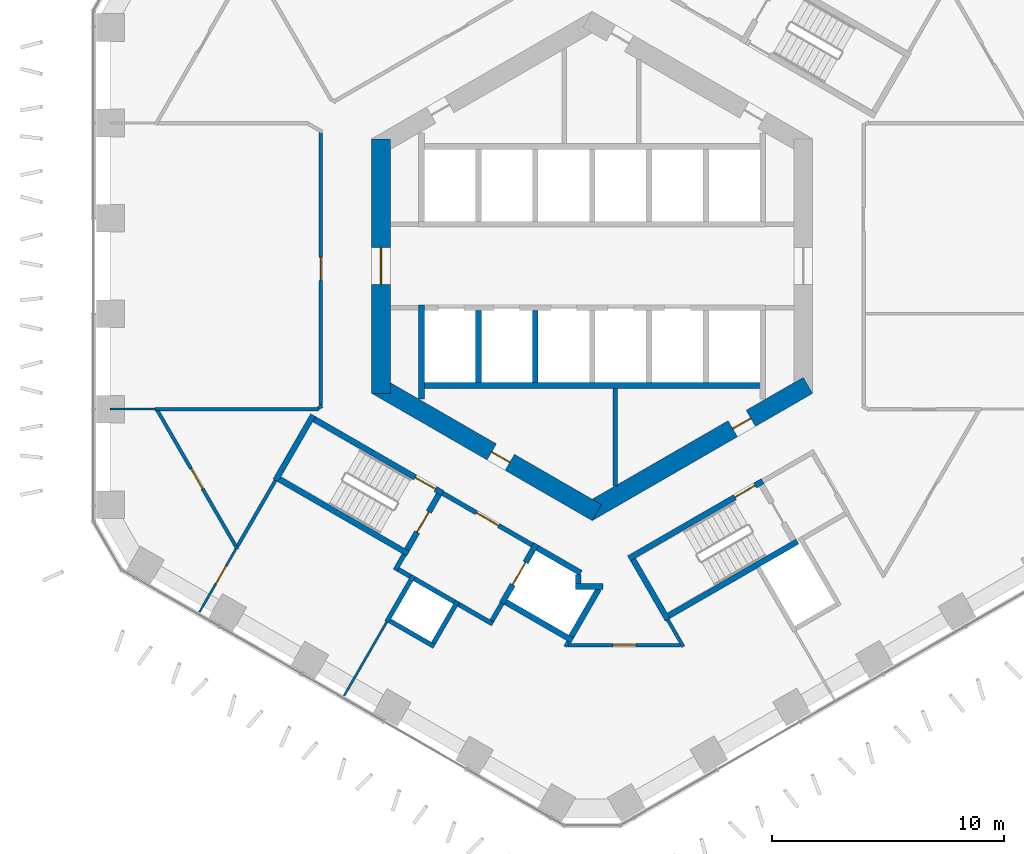
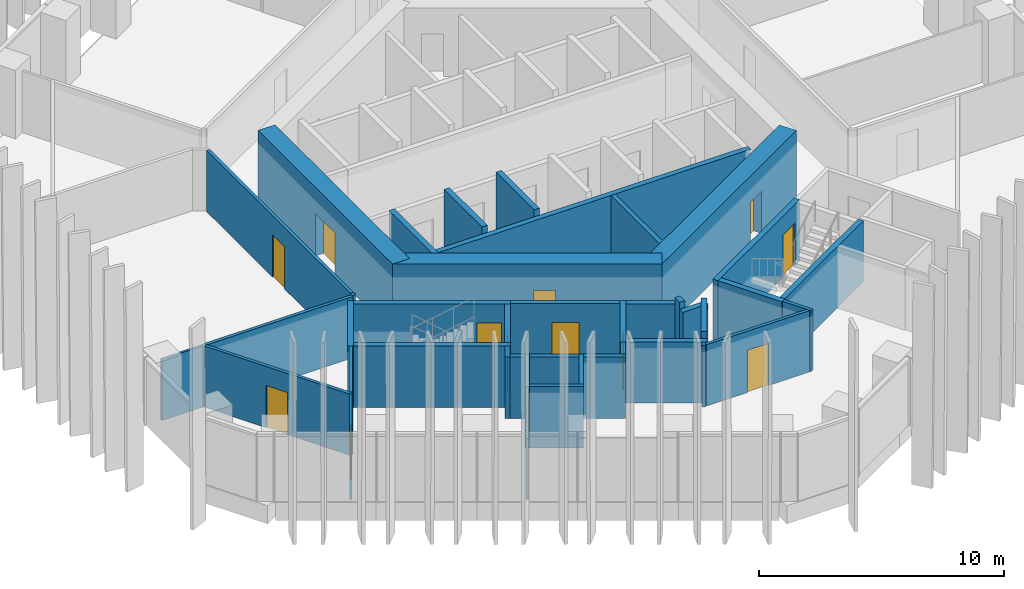
# One storey, part 12 of 18: 41 walls, 12 doors, 12 openings.
"""IFC4 building model written with IfcOpenShell, lengths in metres."""

from ifc_helpers import new_model, si_unit, direction, frame, frame_2d, origin, place, context, subcontext, project, spatial, rectangle, extrude, material, layer, layer_set, type_object, element, fill, save


model = new_model("IFC4")

# Units and contexts
model_context = context("Model", 3, precision=1e-05, world=origin(), true_north=direction((0.0, 1.0)))
body_context = subcontext(model_context, "Body", "Model", "MODEL_VIEW")
ifc_project = project(units=[si_unit("LENGTHUNIT", "METRE"), si_unit("AREAUNIT", "SQUARE_METRE"), si_unit("VOLUMEUNIT", "CUBIC_METRE"), si_unit("PLANEANGLEUNIT", "RADIAN"), si_unit("MASSUNIT", "GRAM", prefix="KILO")], contexts=[model_context])

# Site, building, storey
site_placement = place(None, origin())
site = spatial("IfcSite", under=ifc_project, at=site_placement, CompositionType="ELEMENT")
building_placement = place(site_placement, origin())
building = spatial("IfcBuilding", under=site, at=building_placement, Name="Ayvan Gate Tower", CompositionType="ELEMENT")
storey_placement = place(building_placement, frame((0.0, 0.0, 25.5)))
storey = spatial("IfcBuildingStorey", under=building, at=storey_placement, Name="L05", CompositionType="ELEMENT", Elevation=25.5)

# Wall, opening, door
ifc_material_1 = material(Name="Concrete C70/85", Category="concrete")
ifc_layer_1 = layer(ifc_material_1, 0.800048828125)
ifc_layer_set_1 = layer_set([ifc_layer_1], Name="Concrete C70/85")
wall_type_1 = type_object("IfcWallType", Name="Core wall 800 C70/85", PredefinedType="SHEAR", material=ifc_layer_set_1)
wall_1_placement = place(storey_placement, frame((-9.10009765625, 5.48486328125, 0.0), z_axis=(0.0, 0.0, 1.0), x_axis=(0.0, -1.0, 0.0)))
wall_1 = element("IfcWall", 1, at=wall_1_placement, inside=storey, type_object=wall_type_1, Name="CORE-L05-3", PredefinedType="SHEAR", context=body_context, shape_type="SweptSolid", body=[
    extrude(rectangle(XDim=10.9697265625, YDim=0.800048828125, at=frame_2d((5.48486328125, 0.0))), origin(), (0.0, 0.0, 1.0), 3.39990234375),
])
opening_1_placement = place(wall_1_placement, frame((4.684814453125, 0.0, 0.0)))
opening_1 = element("IfcOpeningElement", 2, at=opening_1_placement, cuts=wall_1, Name="Opening L05-D36", PredefinedType="OPENING", context=body_context, shape_type="SweptSolid", body=[
    extrude(rectangle(XDim=1.60009765625, YDim=2.10009765625, at=frame_2d((0.800048828125, 1.050048828125))), frame((0.0, 0.409912109375, 0.0), z_axis=(0.0, -1.0, 0.0), x_axis=(1.0, 0.0, 0.0)), (0.0, 0.0, 1.0), 0.820068359375),
])
ifc_material_2 = material(Name="Timber door leaf", Category="wood")
door_type_1 = type_object("IfcDoorType", Name="DT-1600", OperationType="NOTDEFINED", PredefinedType="DOOR", material=ifc_material_2)
door_1_placement = place(opening_1_placement, origin())
door_1 = element("IfcDoor", 3, at=door_1_placement, inside=storey, type_object=door_type_1, Name="CD-L05-36", OperationType="SINGLE_SWING_LEFT", OverallHeight=2.10009765625, OverallWidth=1.60009765625, PredefinedType="DOOR", context=body_context, shape_type="SweptSolid", body=[
    extrude(rectangle(XDim=1.60009765625, YDim=2.10009765625, at=frame_2d((0.800048828125, 1.050048828125))), frame((0.0, 0.02490234375, 0.0), z_axis=(0.0, -1.0, 0.0), x_axis=(1.0, 0.0, 0.0)), (0.0, 0.0, 1.0), 0.050048828125),
])
fill(opening_1, door_1)

wall_2_placement = place(storey_placement, frame((-9.300048828125, -5.138427734375, 0.0), z_axis=(0.0, 0.0, 1.0), x_axis=(0.866023993627, -0.500002442456, 0.0)))
wall_2 = element("IfcWall", 4, at=wall_2_placement, inside=storey, type_object=wall_type_1, Name="CORE-L05-4", PredefinedType="SHEAR", context=body_context, shape_type="SweptSolid", body=[
    extrude(rectangle(XDim=10.9697265625, YDim=0.800048828125, at=frame_2d((5.48486328125, 0.0))), origin(), (0.0, 0.0, 1.0), 3.39990234375),
])
opening_2_placement = place(wall_2_placement, frame((5.73974609375, 0.0, 0.0)))
opening_2 = element("IfcOpeningElement", 5, at=opening_2_placement, cuts=wall_2, Name="Opening L05-D33", PredefinedType="OPENING", context=body_context, shape_type="SweptSolid", body=[
    extrude(rectangle(XDim=0.89990234375, YDim=2.10009765625, at=frame_2d((0.449951171875, 1.050048828125))), frame((0.0, 0.409912109375, 0.0), z_axis=(0.0, -1.0, 0.0), x_axis=(1.0, 0.0, 0.0)), (0.0, 0.0, 1.0), 0.820068359375),
])
door_type_2 = type_object("IfcDoorType", Name="DT-900", OperationType="NOTDEFINED", PredefinedType="DOOR", material=ifc_material_2)
door_2_placement = place(opening_2_placement, origin())
door_2 = element("IfcDoor", 6, at=door_2_placement, inside=storey, type_object=door_type_2, Name="CD-L05-33", OperationType="SINGLE_SWING_RIGHT", OverallHeight=2.10009765625, OverallWidth=0.89990234375, PredefinedType="DOOR", context=body_context, shape_type="SweptSolid", body=[
    extrude(rectangle(XDim=0.89990234375, YDim=2.10009765625, at=frame_2d((0.449951171875, 1.050048828125))), frame((0.0, 0.02490234375, 0.0), z_axis=(0.0, -1.0, 0.0), x_axis=(1.0, 0.0, 0.0)), (0.0, 0.0, 1.0), 0.050048828125),
])
fill(opening_2, door_2)

wall_3_placement = place(storey_placement, frame((-0.199951171875, -10.623291015625, 0.0), z_axis=(0.0, 0.0, 1.0), x_axis=(0.866023993627, 0.500002442456, 0.0)))
wall_3 = element("IfcWall", 7, at=wall_3_placement, inside=storey, type_object=wall_type_1, Name="CORE-L05-5", PredefinedType="SHEAR", context=body_context, shape_type="SweptSolid", body=[
    extrude(rectangle(XDim=10.9697265625, YDim=0.800048828125, at=frame_2d((5.48486328125, 0.0))), origin(), (0.0, 0.0, 1.0), 3.39990234375),
])
opening_3_placement = place(wall_3_placement, frame((7.2236328125, 0.0, 0.0)))
opening_3 = element("IfcOpeningElement", 8, at=opening_3_placement, cuts=wall_3, Name="Opening L05-D34", PredefinedType="OPENING", context=body_context, shape_type="SweptSolid", body=[
    extrude(rectangle(XDim=0.89990234375, YDim=2.10009765625, at=frame_2d((0.449951171875, 1.050048828125))), frame((0.0, 0.409912109375, 0.0), z_axis=(0.0, -1.0, 0.0), x_axis=(1.0, 0.0, 0.0)), (0.0, 0.0, 1.0), 0.820068359375),
])
door_3_placement = place(opening_3_placement, origin())
door_3 = element("IfcDoor", 9, at=door_3_placement, inside=storey, type_object=door_type_2, Name="CD-L05-34", OperationType="SINGLE_SWING_LEFT", OverallHeight=2.10009765625, OverallWidth=0.89990234375, PredefinedType="DOOR", context=body_context, shape_type="SweptSolid", body=[
    extrude(rectangle(XDim=0.89990234375, YDim=2.10009765625, at=frame_2d((0.449951171875, 1.050048828125))), frame((0.0, 0.02490234375, 0.0), z_axis=(0.0, -1.0, 0.0), x_axis=(1.0, 0.0, 0.0)), (0.0, 0.0, 1.0), 0.050048828125),
])
fill(opening_3, door_3)

# Wall
ifc_material_3 = material(Name="Plasterboard on steel stud", Category="steel")
ifc_layer_2 = layer(ifc_material_3, 0.14990234375)
ifc_layer_set_2 = layer_set([ifc_layer_2], Name="Plasterboard on steel stud")
wall_type_2 = type_object("IfcWallType", Name="WT-CORR-150", PredefinedType="PARTITIONING", material=ifc_layer_set_2)
wall_4_placement = place(storey_placement, frame((-18.84521484375, -6.160888671875, 0.0), z_axis=(0.0, 0.0, 1.0), x_axis=(1.0, 0.0, 0.0)))
element("IfcWall", 10, at=wall_4_placement, inside=storey, type_object=wall_type_2, Name="IW-L05-000", PredefinedType="PARTITIONING", context=body_context, shape_type="SweptSolid", body=[
    extrude(rectangle(XDim=7.04931640625, YDim=0.14990234375, at=frame_2d((3.524658203125, 0.0))), origin(), (0.0, 0.0, 1.0), 3.050048828125),
])

# Wall, opening, door
wall_5_placement = place(storey_placement, frame((-15.282958984375, -12.200927734375, 0.0), z_axis=(0.0, 0.0, 1.0), x_axis=(-0.500009345598, 0.866020008033, 0.0)))
wall_5 = element("IfcWall", 11, at=wall_5_placement, inside=storey, type_object=wall_type_2, Name="IW-L05-005", PredefinedType="PARTITIONING", context=body_context, shape_type="SweptSolid", body=[
    extrude(rectangle(XDim=6.899658203125, YDim=0.14990234375, at=frame_2d((3.44970703125, 0.0))), origin(), (0.0, 0.0, 1.0), 3.050048828125),
])
opening_4_placement = place(wall_5_placement, frame((3.004638671875, 0.0, 0.0)))
opening_4 = element("IfcOpeningElement", 12, at=opening_4_placement, cuts=wall_5, Name="Opening L05-D25", PredefinedType="OPENING", context=body_context, shape_type="SweptSolid", body=[
    extrude(rectangle(XDim=1.0, YDim=2.10009765625, at=frame_2d((0.5, 1.050048828125))), frame((0.0, 0.0849609375, 0.0), z_axis=(0.0, -1.0, 0.0), x_axis=(1.0, 0.0, 0.0)), (0.0, 0.0, 1.0), 0.169921875),
])
door_type_3 = type_object("IfcDoorType", Name="DT-1000", OperationType="NOTDEFINED", PredefinedType="DOOR", material=ifc_material_2)
door_4_placement = place(opening_4_placement, origin())
door_4 = element("IfcDoor", 13, at=door_4_placement, inside=storey, type_object=door_type_3, Name="ID-L05-025", OperationType="SINGLE_SWING_RIGHT", OverallHeight=2.10009765625, OverallWidth=1.0, PredefinedType="DOOR", context=body_context, shape_type="SweptSolid", body=[
    extrude(rectangle(XDim=1.0, YDim=2.10009765625, at=frame_2d((0.5, 1.050048828125))), frame((0.0, 0.02490234375, 0.0), z_axis=(0.0, -1.0, 0.0), x_axis=(1.0, 0.0, 0.0)), (0.0, 0.0, 1.0), 0.050048828125),
])
fill(opening_4, door_4)

# Walls
wall_6_placement = place(storey_placement, frame((-13.647705078125, -9.23876953125, 0.0), z_axis=(0.0, 0.0, 1.0), x_axis=(-0.50004125829, -0.866001581989, 0.0)))
element("IfcWall", 14, at=wall_6_placement, inside=storey, type_object=wall_type_2, Name="IW-L05-009", PredefinedType="PARTITIONING", context=body_context, shape_type="SweptSolid", body=[
    extrude(rectangle(XDim=3.270263671875, YDim=0.14990234375, at=frame_2d((1.63525390625, 0.0))), origin(), (0.0, 0.0, 1.0), 3.050048828125),
])
wall_7_placement = place(storey_placement, frame((-11.805908203125, -6.123291015625, 0.0), z_axis=(0.0, 0.0, 1.0), x_axis=(0.866103179807, 0.499865263774, 0.0)))
element("IfcWall", 15, at=wall_7_placement, inside=storey, type_object=wall_type_2, Name="IW-L05-012", PredefinedType="PARTITIONING", context=body_context, shape_type="SweptSolid", body=[
    extrude(rectangle(XDim=0.197265625, YDim=0.14990234375, at=frame_2d((0.0986328125, 0.0))), origin(), (0.0, 0.0, 1.0), 3.050048828125),
])

# Wall, opening, door
wall_8_placement = place(storey_placement, frame((-11.699951171875, -5.9873046875, 0.0), z_axis=(0.0, 0.0, 1.0), x_axis=(0.0, 1.0, 0.0)))
wall_8 = element("IfcWall", 16, at=wall_8_placement, inside=storey, type_object=wall_type_2, Name="IW-L05-014", PredefinedType="PARTITIONING", context=body_context, shape_type="SweptSolid", body=[
    extrude(rectangle(XDim=11.73193359375, YDim=0.14990234375, at=frame_2d((5.865966796875, 0.0))), origin(), (0.0, 0.0, 1.0), 3.050048828125),
])
opening_5_placement = place(wall_8_placement, frame((5.365966796875, 0.0, 0.0)))
opening_5 = element("IfcOpeningElement", 17, at=opening_5_placement, cuts=wall_8, Name="Opening L05-D24", PredefinedType="OPENING", context=body_context, shape_type="SweptSolid", body=[
    extrude(rectangle(XDim=1.0, YDim=2.10009765625, at=frame_2d((0.5, 1.050048828125))), frame((0.0, 0.0849609375, 0.0), z_axis=(0.0, -1.0, 0.0), x_axis=(1.0, 0.0, 0.0)), (0.0, 0.0, 1.0), 0.169921875),
])
door_5_placement = place(opening_5_placement, origin())
door_5 = element("IfcDoor", 18, at=door_5_placement, inside=storey, type_object=door_type_3, Name="ID-L05-024", OperationType="SINGLE_SWING_LEFT", OverallHeight=2.10009765625, OverallWidth=1.0, PredefinedType="DOOR", context=body_context, shape_type="SweptSolid", body=[
    extrude(rectangle(XDim=1.0, YDim=2.10009765625, at=frame_2d((0.5, 1.050048828125))), frame((0.0, 0.02490234375, 0.0), z_axis=(0.0, -1.0, 0.0), x_axis=(1.0, 0.0, 0.0)), (0.0, 0.0, 1.0), 0.050048828125),
])
fill(opening_5, door_5)

# Walls
wall_9_placement = place(storey_placement, frame((-1.1552734375, -16.40087890625, 0.0), z_axis=(0.0, 0.0, 1.0), x_axis=(0.500134748329, 0.865947592822, 0.0)))
element("IfcWall", 19, at=wall_9_placement, inside=storey, type_object=wall_type_2, Name="IW-L05-046", PredefinedType="PARTITIONING", context=body_context, shape_type="SweptSolid", body=[
    extrude(rectangle(XDim=0.25634765625, YDim=0.14990234375, at=frame_2d((0.128173828125, 0.0))), origin(), (0.0, 0.0, 1.0), 3.050048828125),
])
wall_10_placement = place(storey_placement, frame((3.255615234375, -15.23876953125, 0.0), z_axis=(0.0, 0.0, 1.0), x_axis=(0.499974444137, -0.866040157966, 0.0)))
element("IfcWall", 20, at=wall_10_placement, inside=storey, type_object=wall_type_2, Name="IW-L05-067", PredefinedType="PARTITIONING", context=body_context, shape_type="SweptSolid", body=[
    extrude(rectangle(XDim=1.341796875, YDim=0.14990234375, at=frame_2d((0.6708984375, 0.0))), origin(), (0.0, 0.0, 1.0), 3.050048828125),
])

# Wall, opening, door
wall_11_placement = place(storey_placement, frame((3.81396484375, -16.3359375, 0.0), z_axis=(0.0, 0.0, 1.0), x_axis=(-1.0, 0.0, 0.0)))
wall_11 = element("IfcWall", 21, at=wall_11_placement, inside=storey, type_object=wall_type_2, Name="IW-L05-070", PredefinedType="PARTITIONING", context=body_context, shape_type="SweptSolid", body=[
    extrude(rectangle(XDim=4.856689453125, YDim=0.14990234375, at=frame_2d((2.42822265625, 0.0))), origin(), (0.0, 0.0, 1.0), 3.050048828125),
])
opening_6_placement = place(wall_11_placement, frame((1.92822265625, 0.0, 0.0)))
opening_6 = element("IfcOpeningElement", 22, at=opening_6_placement, cuts=wall_11, Name="Opening L05-D27", PredefinedType="OPENING", context=body_context, shape_type="SweptSolid", body=[
    extrude(rectangle(XDim=1.0, YDim=2.10009765625, at=frame_2d((0.5, 1.050048828125))), frame((0.0, 0.0849609375, 0.0), z_axis=(0.0, -1.0, 0.0), x_axis=(1.0, 0.0, 0.0)), (0.0, 0.0, 1.0), 0.169921875),
])
door_6_placement = place(opening_6_placement, origin())
door_6 = element("IfcDoor", 23, at=door_6_placement, inside=storey, type_object=door_type_3, Name="ID-L05-027", OperationType="SINGLE_SWING_RIGHT", OverallHeight=2.10009765625, OverallWidth=1.0, PredefinedType="DOOR", context=body_context, shape_type="SweptSolid", body=[
    extrude(rectangle(XDim=1.0, YDim=2.10009765625, at=frame_2d((0.5, 1.050048828125))), frame((0.0, 0.02490234375, 0.0), z_axis=(0.0, -1.0, 0.0), x_axis=(1.0, 0.0, 0.0)), (0.0, 0.0, 1.0), 0.050048828125),
])
fill(opening_6, door_6)

# Wall
ifc_layer_3 = layer(ifc_material_3, 0.10009765625)
ifc_layer_set_3 = layer_set([ifc_layer_3], Name="Plasterboard on steel stud")
wall_type_3 = type_object("IfcWallType", Name="WT-PART-100", PredefinedType="PARTITIONING", material=ifc_layer_set_3)
wall_12_placement = place(storey_placement, frame((-18.84521484375, -6.160888671875, 0.0), z_axis=(0.0, 0.0, 1.0), x_axis=(-1.0, 0.0, 0.0)))
element("IfcWall", 24, at=wall_12_placement, inside=storey, type_object=wall_type_3, Name="IW-L05-003", PredefinedType="PARTITIONING", context=body_context, shape_type="SweptSolid", body=[
    extrude(rectangle(XDim=1.939453125, YDim=0.10009765625, at=frame_2d((0.9697265625, 0.0))), origin(), (0.0, 0.0, 1.0), 3.050048828125),
])

# Wall, opening, door
wall_13_placement = place(storey_placement, frame((-15.35791015625, -12.200927734375, 0.0), z_axis=(0.0, 0.0, 1.0), x_axis=(-0.500041479787, -0.866001454094, 0.0)))
wall_13 = element("IfcWall", 25, at=wall_13_placement, inside=storey, type_object=wall_type_3, Name="IW-L05-006", PredefinedType="PARTITIONING", context=body_context, shape_type="SweptSolid", body=[
    extrude(rectangle(XDim=3.135498046875, YDim=0.10009765625, at=frame_2d((1.56787109375, 0.0))), origin(), (0.0, 0.0, 1.0), 3.050048828125),
])
opening_7_placement = place(wall_13_placement, frame((0.819580078125, 0.0, 0.0)))
opening_7 = element("IfcOpeningElement", 26, at=opening_7_placement, cuts=wall_13, Name="Opening L05-D26", PredefinedType="OPENING", context=body_context, shape_type="SweptSolid", body=[
    extrude(rectangle(XDim=0.89990234375, YDim=2.10009765625, at=frame_2d((0.449951171875, 1.050048828125))), frame((0.0, 0.06005859375, 0.0), z_axis=(0.0, -1.0, 0.0), x_axis=(1.0, 0.0, 0.0)), (0.0, 0.0, 1.0), 0.1201171875),
])
door_7_placement = place(opening_7_placement, origin())
door_7 = element("IfcDoor", 27, at=door_7_placement, inside=storey, type_object=door_type_2, Name="ID-L05-026", OperationType="SINGLE_SWING_LEFT", OverallHeight=2.10009765625, OverallWidth=0.89990234375, PredefinedType="DOOR", context=body_context, shape_type="SweptSolid", body=[
    extrude(rectangle(XDim=0.89990234375, YDim=2.10009765625, at=frame_2d((0.449951171875, 1.050048828125))), frame((0.0, 0.02490234375, 0.0), z_axis=(0.0, -1.0, 0.0), x_axis=(1.0, 0.0, 0.0)), (0.0, 0.0, 1.0), 0.050048828125),
])
fill(opening_7, door_7)

# Walls
wall_14_placement = place(storey_placement, frame((-8.85009765625, -15.32861328125, 0.0), z_axis=(0.0, 0.0, 1.0), x_axis=(-0.499955964762, -0.866050826049, 0.0)))
element("IfcWall", 28, at=wall_14_placement, inside=storey, type_object=wall_type_3, Name="IW-L05-018", PredefinedType="PARTITIONING", context=body_context, shape_type="SweptSolid", body=[
    extrude(rectangle(XDim=3.680419921875, YDim=0.10009765625, at=frame_2d((1.84033203125, 0.0))), origin(), (0.0, 0.0, 1.0), 3.050048828125),
])
ifc_layer_4 = layer(ifc_material_3, 0.199951171875)
ifc_layer_set_4 = layer_set([ifc_layer_4], Name="Plasterboard on steel stud")
wall_type_4 = type_object("IfcWallType", Name="WT-PLUMB-200", PredefinedType="PLUMBINGWALL", material=ifc_layer_set_4)
wall_15_placement = place(storey_placement, frame((-8.85009765625, -15.32861328125, 0.0), z_axis=(0.0, 0.0, 1.0), x_axis=(0.500077740698, 0.865980515519, 0.0)))
element("IfcWall", 29, at=wall_15_placement, inside=storey, type_object=wall_type_4, Name="IW-L05-017", PredefinedType="PLUMBINGWALL", context=body_context, shape_type="SweptSolid", body=[
    extrude(rectangle(XDim=2.300048828125, YDim=0.199951171875, at=frame_2d((1.14990234375, 0.0))), origin(), (0.0, 0.0, 1.0), 3.050048828125),
])
wall_16_placement = place(storey_placement, frame((-6.80810546875, -16.39208984375, 0.0), z_axis=(0.0, 0.0, 1.0), x_axis=(-0.866008176907, 0.50002983664, 0.0)))
element("IfcWall", 30, at=wall_16_placement, inside=storey, type_object=wall_type_4, Name="IW-L05-028", PredefinedType="PLUMBINGWALL", context=body_context, shape_type="SweptSolid", body=[
    extrude(rectangle(XDim=2.199951171875, YDim=0.199951171875, at=frame_2d((1.10009765625, 0.0))), origin(), (0.0, 0.0, 1.0), 3.050048828125),
])
wall_17_placement = place(storey_placement, frame((-5.794677734375, -14.436767578125, 0.0), z_axis=(0.0, 0.0, 1.0), x_axis=(-0.500027713859, -0.866009402589, 0.0)))
element("IfcWall", 31, at=wall_17_placement, inside=storey, type_object=wall_type_4, Name="IW-L05-031", PredefinedType="PLUMBINGWALL", context=body_context, shape_type="SweptSolid", body=[
    extrude(rectangle(XDim=2.10009765625, YDim=0.199951171875, at=frame_2d((1.050048828125, 0.0))), origin(), (0.0, 0.0, 1.0), 3.050048828125),
])
wall_18_placement = place(storey_placement, frame((-5.931396484375, -14.473388671875, 0.0), z_axis=(0.0, 0.0, 1.0), x_axis=(-0.866041268327, 0.499972520799, 0.0)))
element("IfcWall", 32, at=wall_18_placement, inside=storey, type_object=wall_type_4, Name="IW-L05-032", PredefinedType="PLUMBINGWALL", context=body_context, shape_type="SweptSolid", body=[
    extrude(rectangle(XDim=2.0, YDim=0.199951171875, at=frame_2d((1.0, 0.0))), origin(), (0.0, 0.0, 1.0), 3.050048828125),
])
ifc_layer_5 = layer(ifc_material_3, 0.199951171875)
ifc_layer_set_5 = layer_set([ifc_layer_5], Name="Plasterboard on steel stud")
wall_type_5 = type_object("IfcWallType", Name="WT-RATED-200", PredefinedType="PARTITIONING", material=ifc_layer_set_5)
wall_19_placement = place(storey_placement, frame((-8.492919921875, -13.110107421875, 0.0), z_axis=(0.0, 0.0, 1.0), x_axis=(0.500067724834, 0.865986299303, 0.0)))
element("IfcWall", 33, at=wall_19_placement, inside=storey, type_object=wall_type_5, Name="IW-L05-020", PredefinedType="PARTITIONING", context=body_context, shape_type="SweptSolid", body=[
    extrude(rectangle(XDim=0.775390625, YDim=0.199951171875, at=frame_2d((0.3876953125, 0.0))), origin(), (0.0, 0.0, 1.0), 3.050048828125),
])
wall_20_placement = place(storey_placement, frame((-7.83642578125, -13.373291015625, 0.0), z_axis=(0.0, 0.0, 1.0), x_axis=(-0.866232998003, 0.499640263761, 0.0)))
element("IfcWall", 34, at=wall_20_placement, inside=storey, type_object=wall_type_5, Name="IW-L05-022", PredefinedType="PARTITIONING", context=body_context, shape_type="SweptSolid", body=[
    extrude(rectangle(XDim=0.60009765625, YDim=0.199951171875, at=frame_2d((0.300048828125, 0.0))), origin(), (0.0, 0.0, 1.0), 3.050048828125),
])

# Wall, opening, door
wall_21_placement = place(storey_placement, frame((-6.4345703125, -9.794921875, 0.0), z_axis=(0.0, 0.0, 1.0), x_axis=(0.866012907634, -0.500021643343, 0.0)))
wall_21 = element("IfcWall", 35, at=wall_21_placement, inside=storey, type_object=wall_type_5, Name="IW-L05-030", PredefinedType="PARTITIONING", context=body_context, shape_type="SweptSolid", body=[
    extrude(rectangle(XDim=4.449951171875, YDim=0.199951171875, at=frame_2d((2.22509765625, 0.0))), origin(), (0.0, 0.0, 1.0), 3.050048828125),
])
opening_8_placement = place(wall_21_placement, frame((1.675048828125, 0.0, 0.0)))
opening_8 = element("IfcOpeningElement", 36, at=opening_8_placement, cuts=wall_21, Name="Opening L05-D12", PredefinedType="OPENING", context=body_context, shape_type="SweptSolid", body=[
    extrude(rectangle(XDim=1.10009765625, YDim=2.10009765625, at=frame_2d((0.550048828125, 1.050048828125))), frame((0.0, 0.10986328125, 0.0), z_axis=(0.0, -1.0, 0.0), x_axis=(1.0, 0.0, 0.0)), (0.0, 0.0, 1.0), 0.219970703125),
])
door_type_4 = type_object("IfcDoorType", Name="DT-1100", OperationType="NOTDEFINED", PredefinedType="DOOR", material=ifc_material_2)
door_8_placement = place(opening_8_placement, origin())
door_8 = element("IfcDoor", 37, at=door_8_placement, inside=storey, type_object=door_type_4, Name="ID-L05-012", OperationType="SINGLE_SWING_LEFT", OverallHeight=2.10009765625, OverallWidth=1.10009765625, PredefinedType="DOOR", context=body_context, shape_type="SweptSolid", body=[
    extrude(rectangle(XDim=1.10009765625, YDim=2.10009765625, at=frame_2d((0.550048828125, 1.050048828125))), frame((0.0, 0.02490234375, 0.0), z_axis=(0.0, -1.0, 0.0), x_axis=(1.0, 0.0, 0.0)), (0.0, 0.0, 1.0), 0.050048828125),
])
fill(opening_8, door_8)

# Walls
wall_22_placement = place(storey_placement, frame((-4.285888671875, -15.42333984375, 0.0), z_axis=(0.0, 0.0, 1.0), x_axis=(-0.866025371046, 0.500000056704, 0.0)))
element("IfcWall", 38, at=wall_22_placement, inside=storey, type_object=wall_type_5, Name="IW-L05-037", PredefinedType="PARTITIONING", context=body_context, shape_type="SweptSolid", body=[
    extrude(rectangle(XDim=1.7001953125, YDim=0.199951171875, at=frame_2d((0.85009765625, 0.0))), origin(), (0.0, 0.0, 1.0), 3.050048828125),
])
wall_23_placement = place(storey_placement, frame((-3.885009765625, -14.52880859375, 0.0), z_axis=(0.0, 0.0, 1.0), x_axis=(-0.499859285417, -0.866106630146, 0.0)))
element("IfcWall", 39, at=wall_23_placement, inside=storey, type_object=wall_type_5, Name="IW-L05-038", PredefinedType="PARTITIONING", context=body_context, shape_type="SweptSolid", body=[
    extrude(rectangle(XDim=0.875244140625, YDim=0.199951171875, at=frame_2d((0.4375, 0.0))), origin(), (0.0, 0.0, 1.0), 3.050048828125),
])
wall_24_placement = place(storey_placement, frame((1.0, -5.27490234375, 0.0), z_axis=(0.0, 0.0, 1.0), x_axis=(0.0, -1.0, 0.0)))
element("IfcWall", 40, at=wall_24_placement, inside=storey, type_object=wall_type_5, Name="IW-L05-059", PredefinedType="PARTITIONING", context=body_context, shape_type="SweptSolid", body=[
    extrude(rectangle(XDim=4.193603515625, YDim=0.199951171875, at=frame_2d((2.0966796875, 0.0))), origin(), (0.0, 0.0, 1.0), 3.050048828125),
])
ifc_material_4 = material(Name="Concrete C50/60", Category="concrete")
ifc_layer_6 = layer(ifc_material_4, 0.25)
ifc_layer_set_6 = layer_set([ifc_layer_6], Name="Concrete C50/60")
wall_type_6 = type_object("IfcWallType", Name="WT-RC-250", PredefinedType="SHEAR", material=ifc_layer_set_6)
wall_25_placement = place(storey_placement, frame((-13.64794921875, -9.23876953125, 0.0), z_axis=(0.0, 0.0, 1.0), x_axis=(0.500017246033, 0.866015446554, 0.0)))
element("IfcWall", 41, at=wall_25_placement, inside=storey, type_object=wall_type_6, Name="IW-L05-008", PredefinedType="SHEAR", context=body_context, shape_type="SweptSolid", body=[
    extrude(rectangle(XDim=3.25, YDim=0.25, at=frame_2d((1.625, 0.0))), origin(), (0.0, 0.0, 1.0), 3.050048828125),
])

# Wall, opening, door
wall_26_placement = place(storey_placement, frame((-11.97705078125, -6.594970703125, 0.0), z_axis=(0.0, 0.0, 1.0), x_axis=(0.866025499775, -0.499999833739, 0.0)))
wall_26 = element("IfcWall", 42, at=wall_26_placement, inside=storey, type_object=wall_type_6, Name="IW-L05-011", PredefinedType="SHEAR", context=body_context, shape_type="SweptSolid", body=[
    extrude(rectangle(XDim=6.39990234375, YDim=0.25, at=frame_2d((3.199951171875, 0.0))), origin(), (0.0, 0.0, 1.0), 3.050048828125),
])
opening_9_placement = place(wall_26_placement, frame((5.02490234375, 0.0, 0.0)))
opening_9 = element("IfcOpeningElement", 43, at=opening_9_placement, cuts=wall_26, Name="Opening L05-D10", PredefinedType="OPENING", context=body_context, shape_type="SweptSolid", body=[
    extrude(rectangle(XDim=1.0, YDim=2.10009765625, at=frame_2d((0.5, 1.050048828125))), frame((0.0, 0.135009765625, 0.0), z_axis=(0.0, -1.0, 0.0), x_axis=(1.0, 0.0, 0.0)), (0.0, 0.0, 1.0), 0.27001953125),
])
door_9_placement = place(opening_9_placement, origin())
door_9 = element("IfcDoor", 44, at=door_9_placement, inside=storey, type_object=door_type_3, Name="ID-L05-010", OperationType="SINGLE_SWING_LEFT", OverallHeight=2.10009765625, OverallWidth=1.0, PredefinedType="DOOR", context=body_context, shape_type="SweptSolid", body=[
    extrude(rectangle(XDim=1.0, YDim=2.10009765625, at=frame_2d((0.5, 1.050048828125))), frame((0.0, 0.02490234375, 0.0), z_axis=(0.0, -1.0, 0.0), x_axis=(1.0, 0.0, 0.0)), (0.0, 0.0, 1.0), 0.050048828125),
])
fill(opening_9, door_9)

# Walls
wall_27_placement = place(storey_placement, frame((-7.9345703125, -12.39306640625, 0.0), z_axis=(0.0, 0.0, 1.0), x_axis=(-0.866025499775, 0.499999833739, 0.0)))
element("IfcWall", 45, at=wall_27_placement, inside=storey, type_object=wall_type_6, Name="IW-L05-021", PredefinedType="SHEAR", context=body_context, shape_type="SweptSolid", body=[
    extrude(rectangle(XDim=6.39990234375, YDim=0.25, at=frame_2d((3.199951171875, 0.0))), origin(), (0.0, 0.0, 1.0), 3.050048828125),
])
wall_28_placement = place(storey_placement, frame((-7.35009765625, -5.730224609375, 0.0), z_axis=(0.0, 0.0, 1.0), x_axis=(0.0, 1.0, 0.0)))
element("IfcWall", 46, at=wall_28_placement, inside=storey, type_object=wall_type_6, Name="IW-L05-024", PredefinedType="SHEAR", context=body_context, shape_type="SweptSolid", body=[
    extrude(rectangle(XDim=4.05517578125, YDim=0.25, at=frame_2d((2.027587890625, 0.0))), origin(), (0.0, 0.0, 1.0), 3.050048828125),
])

# Wall, opening, door
wall_29_placement = place(storey_placement, frame((-6.605224609375, -9.8408203125, 0.0), z_axis=(0.0, 0.0, 1.0), x_axis=(-0.499996545922, -0.866027397988, 0.0)))
wall_29 = element("IfcWall", 47, at=wall_29_placement, inside=storey, type_object=wall_type_6, Name="IW-L05-029", PredefinedType="SHEAR", context=body_context, shape_type="SweptSolid", body=[
    extrude(rectangle(XDim=2.75, YDim=0.25, at=frame_2d((1.375, 0.0))), origin(), (0.0, 0.0, 1.0), 3.050048828125),
])
opening_10_placement = place(wall_29_placement, frame((0.875, 0.0, 0.0)))
opening_10 = element("IfcOpeningElement", 48, at=opening_10_placement, cuts=wall_29, Name="Opening L05-D11", PredefinedType="OPENING", context=body_context, shape_type="SweptSolid", body=[
    extrude(rectangle(XDim=1.0, YDim=2.10009765625, at=frame_2d((0.5, 1.050048828125))), frame((0.0, 0.135009765625, 0.0), z_axis=(0.0, -1.0, 0.0), x_axis=(1.0, 0.0, 0.0)), (0.0, 0.0, 1.0), 0.27001953125),
])
door_10_placement = place(opening_10_placement, origin())
door_10 = element("IfcDoor", 49, at=door_10_placement, inside=storey, type_object=door_type_3, Name="ID-L05-011", OperationType="SINGLE_SWING_RIGHT", OverallHeight=2.10009765625, OverallWidth=1.0, PredefinedType="DOOR", context=body_context, shape_type="SweptSolid", body=[
    extrude(rectangle(XDim=1.0, YDim=2.10009765625, at=frame_2d((0.5, 1.050048828125))), frame((0.0, 0.02490234375, 0.0), z_axis=(0.0, -1.0, 0.0), x_axis=(1.0, 0.0, 0.0)), (0.0, 0.0, 1.0), 0.050048828125),
])
fill(opening_10, door_10)

# Walls
wall_30_placement = place(storey_placement, frame((-7.22509765625, -5.14990234375, 0.0), z_axis=(0.0, 0.0, 1.0), x_axis=(1.0, 0.0, 0.0)))
element("IfcWall", 50, at=wall_30_placement, inside=storey, type_object=wall_type_6, Name="IW-L05-033", PredefinedType="SHEAR", context=body_context, shape_type="SweptSolid", body=[
    extrude(rectangle(XDim=14.7001953125, YDim=0.25, at=frame_2d((7.35009765625, 0.0))), origin(), (0.0, 0.0, 1.0), 3.050048828125),
])
wall_31_placement = place(storey_placement, frame((-4.89990234375, -1.925048828125, 0.0), z_axis=(0.0, 0.0, 1.0), x_axis=(0.0, -1.0, 0.0)))
element("IfcWall", 51, at=wall_31_placement, inside=storey, type_object=wall_type_6, Name="IW-L05-034", PredefinedType="SHEAR", context=body_context, shape_type="SweptSolid", body=[
    extrude(rectangle(XDim=3.099853515625, YDim=0.25, at=frame_2d((1.5498046875, 0.0))), origin(), (0.0, 0.0, 1.0), 3.39990234375),
])

# Wall, opening, door
wall_32_placement = place(storey_placement, frame((-2.409912109375, -11.97412109375, 0.0), z_axis=(0.0, 0.0, 1.0), x_axis=(-0.500001826776, -0.866024349092, 0.0)))
wall_32 = element("IfcWall", 52, at=wall_32_placement, inside=storey, type_object=wall_type_6, Name="IW-L05-041", PredefinedType="SHEAR", context=body_context, shape_type="SweptSolid", body=[
    extrude(rectangle(XDim=2.9501953125, YDim=0.25, at=frame_2d((1.47509765625, 0.0))), origin(), (0.0, 0.0, 1.0), 3.050048828125),
])
opening_11_placement = place(wall_32_placement, frame((0.925048828125, 0.0, 0.0)))
opening_11 = element("IfcOpeningElement", 53, at=opening_11_placement, cuts=wall_32, Name="Opening L05-LD-FF2", PredefinedType="OPENING", context=body_context, shape_type="SweptSolid", body=[
    extrude(rectangle(XDim=1.10009765625, YDim=2.10009765625, at=frame_2d((0.550048828125, 1.050048828125))), frame((0.0, 0.135009765625, 0.0), z_axis=(0.0, -1.0, 0.0), x_axis=(1.0, 0.0, 0.0)), (0.0, 0.0, 1.0), 0.27001953125),
])
ifc_material_5 = material(Name="Stainless steel landing door", Category="steel")
door_type_5 = type_object("IfcDoorType", Name="DT-LANDING-1100", OperationType="SLIDING_TO_LEFT", PredefinedType="DOOR", material=ifc_material_5)
door_11_placement = place(opening_11_placement, origin())
door_11 = element("IfcDoor", 54, at=door_11_placement, inside=storey, type_object=door_type_5, Name="ID-L05-013", OperationType="SLIDING_TO_LEFT", OverallHeight=2.10009765625, OverallWidth=1.10009765625, PredefinedType="DOOR", context=body_context, shape_type="SweptSolid", body=[
    extrude(rectangle(XDim=1.10009765625, YDim=2.10009765625, at=frame_2d((0.550048828125, 1.050048828125))), frame((0.0, 0.02490234375, 0.0), z_axis=(0.0, -1.0, 0.0), x_axis=(1.0, 0.0, 0.0)), (0.0, 0.0, 1.0), 0.050048828125),
])
fill(opening_11, door_11)

# Walls
wall_33_placement = place(storey_placement, frame((-2.3642578125, -12.14501953125, 0.0), z_axis=(0.0, 0.0, 1.0), x_axis=(0.86603892542, -0.499976579108, 0.0)))
element("IfcWall", 55, at=wall_33_placement, inside=storey, type_object=wall_type_6, Name="IW-L05-042", PredefinedType="SHEAR", context=body_context, shape_type="SweptSolid", body=[
    extrude(rectangle(XDim=2.162109375, YDim=0.25, at=frame_2d((1.0810546875, 0.0))), origin(), (0.0, 0.0, 1.0), 3.050048828125),
])
wall_34_placement = place(storey_placement, frame((-2.449951171875, -1.925048828125, 0.0), z_axis=(0.0, 0.0, 1.0), x_axis=(0.0, -1.0, 0.0)))
element("IfcWall", 56, at=wall_34_placement, inside=storey, type_object=wall_type_6, Name="IW-L05-043", PredefinedType="SHEAR", context=body_context, shape_type="SweptSolid", body=[
    extrude(rectangle(XDim=3.099853515625, YDim=0.25, at=frame_2d((1.5498046875, 0.0))), origin(), (0.0, 0.0, 1.0), 3.39990234375),
])
wall_35_placement = place(storey_placement, frame((-0.8564453125, -16.13330078125, 0.0), z_axis=(0.0, 0.0, 1.0), x_axis=(-0.866021716278, 0.500006386895, 0.0)))
element("IfcWall", 57, at=wall_35_placement, inside=storey, type_object=wall_type_6, Name="IW-L05-047", PredefinedType="SHEAR", context=body_context, shape_type="SweptSolid", body=[
    extrude(rectangle(XDim=3.2998046875, YDim=0.25, at=frame_2d((1.64990234375, 0.0))), origin(), (0.0, 0.0, 1.0), 3.050048828125),
])
wall_36_placement = place(storey_placement, frame((-0.72509765625, -13.81005859375, 0.0), z_axis=(0.0, 0.0, 1.0), x_axis=(1.0, 0.0, 0.0)))
element("IfcWall", 58, at=wall_36_placement, inside=storey, type_object=wall_type_6, Name="IW-L05-048", PredefinedType="SHEAR", context=body_context, shape_type="SweptSolid", body=[
    extrude(rectangle(XDim=1.190673828125, YDim=0.25, at=frame_2d((0.59521484375, 0.0))), origin(), (0.0, 0.0, 1.0), 3.050048828125),
])
wall_37_placement = place(storey_placement, frame((-0.60009765625, -13.28857421875, 0.0), z_axis=(0.0, 0.0, 1.0), x_axis=(0.0, -1.0, 0.0)))
element("IfcWall", 59, at=wall_37_placement, inside=storey, type_object=wall_type_6, Name="IW-L05-049", PredefinedType="SHEAR", context=body_context, shape_type="SweptSolid", body=[
    extrude(rectangle(XDim=0.396484375, YDim=0.25, at=frame_2d((0.1982421875, 0.0))), origin(), (0.0, 0.0, 1.0), 3.39990234375),
])
wall_38_placement = place(storey_placement, frame((0.278076171875, -13.918212890625, 0.0), z_axis=(0.0, 0.0, 1.0), x_axis=(-0.49998806882, -0.866032292145, 0.0)))
element("IfcWall", 60, at=wall_38_placement, inside=storey, type_object=wall_type_6, Name="IW-L05-055", PredefinedType="SHEAR", context=body_context, shape_type="SweptSolid", body=[
    extrude(rectangle(XDim=2.3603515625, YDim=0.25, at=frame_2d((1.18017578125, 0.0))), origin(), (0.0, 0.0, 1.0), 3.39990234375),
])

# Wall, opening, door
wall_39_placement = place(storey_placement, frame((1.584716796875, -12.594970703125, 0.0), z_axis=(0.0, 0.0, 1.0), x_axis=(0.866036417653, 0.499980922934, 0.0)))
wall_39 = element("IfcWall", 61, at=wall_39_placement, inside=storey, type_object=wall_type_6, Name="IW-L05-061", PredefinedType="SHEAR", context=body_context, shape_type="SweptSolid", body=[
    extrude(rectangle(XDim=6.650146484375, YDim=0.25, at=frame_2d((3.3251953125, 0.0))), origin(), (0.0, 0.0, 1.0), 3.050048828125),
])
opening_12_placement = place(wall_39_placement, frame((5.27490234375, 0.0, 0.0)))
opening_12 = element("IfcOpeningElement", 62, at=opening_12_placement, cuts=wall_39, Name="Opening L05-D14", PredefinedType="OPENING", context=body_context, shape_type="SweptSolid", body=[
    extrude(rectangle(XDim=1.0, YDim=2.10009765625, at=frame_2d((0.5, 1.050048828125))), frame((0.0, 0.135009765625, 0.0), z_axis=(0.0, -1.0, 0.0), x_axis=(1.0, 0.0, 0.0)), (0.0, 0.0, 1.0), 0.27001953125),
])
door_12_placement = place(opening_12_placement, origin())
door_12 = element("IfcDoor", 63, at=door_12_placement, inside=storey, type_object=door_type_3, Name="ID-L05-014", OperationType="SINGLE_SWING_LEFT", OverallHeight=2.10009765625, OverallWidth=1.0, PredefinedType="DOOR", context=body_context, shape_type="SweptSolid", body=[
    extrude(rectangle(XDim=1.0, YDim=2.10009765625, at=frame_2d((0.5, 1.050048828125))), frame((0.0, 0.02490234375, 0.0), z_axis=(0.0, -1.0, 0.0), x_axis=(1.0, 0.0, 0.0)), (0.0, 0.0, 1.0), 0.050048828125),
])
fill(opening_12, door_12)

# Walls
wall_40_placement = place(storey_placement, frame((3.255615234375, -15.23876953125, 0.0), z_axis=(0.0, 0.0, 1.0), x_axis=(-0.50002537861, 0.866010750942, 0.0)))
element("IfcWall", 64, at=wall_40_placement, inside=storey, type_object=wall_type_6, Name="IW-L05-068", PredefinedType="SHEAR", context=body_context, shape_type="SweptSolid", body=[
    extrude(rectangle(XDim=2.999755859375, YDim=0.25, at=frame_2d((1.5, 0.0))), origin(), (0.0, 0.0, 1.0), 3.050048828125),
])
wall_41_placement = place(storey_placement, frame((3.30126953125, -15.068115234375, 0.0), z_axis=(0.0, 0.0, 1.0), x_axis=(0.866035036182, 0.499983315828, 0.0)))
element("IfcWall", 65, at=wall_41_placement, inside=storey, type_object=wall_type_6, Name="IW-L05-077", PredefinedType="SHEAR", context=body_context, shape_type="SweptSolid", body=[
    extrude(rectangle(XDim=6.400146484375, YDim=0.25, at=frame_2d((3.2001953125, 0.0))), origin(), (0.0, 0.0, 1.0), 3.050048828125),
])

save(model, "model.ifc")
